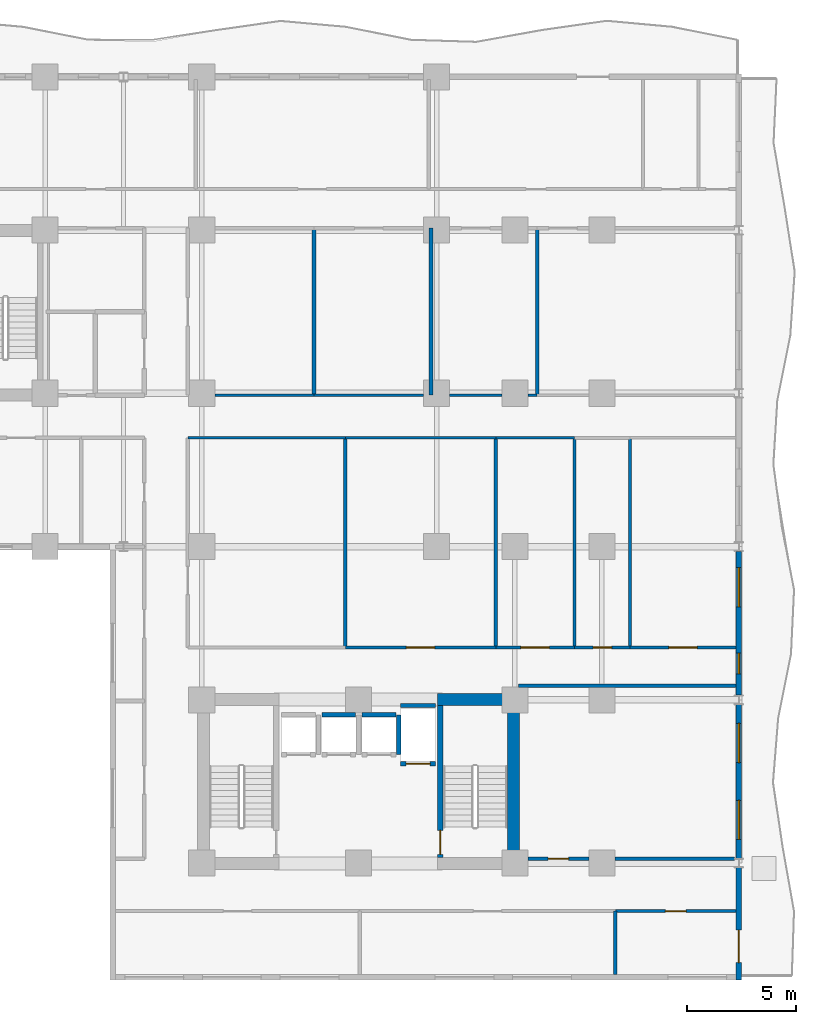
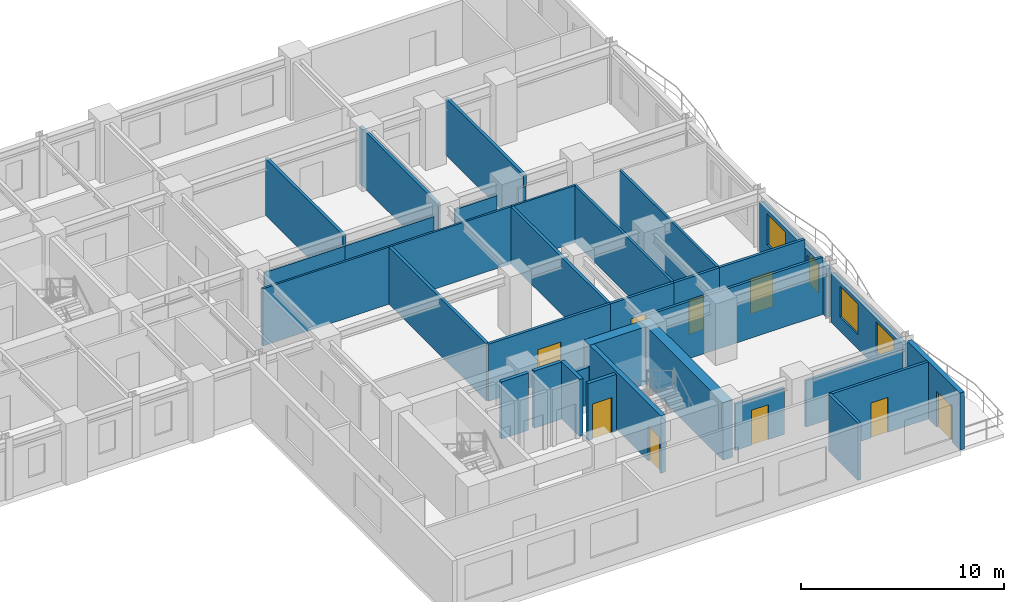
# One storey, part 5 of 11: 34 walls, 9 doors, 4 windows, 13 openings.
"""IFC4 building model written with IfcOpenShell, lengths in metres."""

import ifcopenshell
import ifcopenshell.guid

model = None  # the IFC model being written
_history = None  # IfcOwnerHistory: only IFC2X3 demands one
_inside = {}  # id of a spatial element -> (the spatial element, [elements in it])
_under = {}  # id of a project, library or spatial element -> (it, [spatial elements below it])
_declared = {}  # id of a project -> (the project, [libraries it declares])
_typed = {}  # id of a type object -> (the type object, [elements of that type])
_made_of = {}  # id of a material, layer set ... -> (it, [elements and type objects made of it])


def new_model(schema):
    """Start an empty IFC model of exactly this schema.

    Asked for "IFC4X3", IfcOpenShell would pick the latest addendum, in which some entities
    have other attributes; the version numbers below select the first issue.
    IFC2X3 requires an IfcOwnerHistory on every rooted entity: one is made here for all.
    """
    global model, _history
    if schema == "IFC4X3":
        model = ifcopenshell.file(schema_version=(4, 3, 0, 0))
    else:
        model = ifcopenshell.file(schema=schema)
    _inside.clear()
    _under.clear()
    _declared.clear()
    _typed.clear()
    _made_of.clear()
    _history = None
    if model.schema == "IFC2X3":
        org = make("IfcOrganization", Name="unknown")
        user = make(
            "IfcPersonAndOrganization",
            ThePerson=make("IfcPerson", FamilyName="unknown"),
            TheOrganization=org,
        )
        app = make(
            "IfcApplication",
            ApplicationDeveloper=org,
            Version="unknown",
            ApplicationFullName="unknown",
            ApplicationIdentifier="unknown",
        )
        _history = make(
            "IfcOwnerHistory",
            OwningUser=user,
            OwningApplication=app,
            ChangeAction="ADDED",
            CreationDate=0,
        )
    return model


def make(cls, **values):
    """One entity of the class cls with the attributes given. An attribute that is None is left unset."""
    return model.create_entity(
        cls, **{name: value for name, value in values.items() if value is not None}
    )


def rooted(cls, **values):
    """An entity with a GlobalId (a new one), such as an element, a storey or a relation."""
    return make(cls, GlobalId=ifcopenshell.guid.new(), OwnerHistory=_history, **values)


def si_unit(unit_type, name, prefix=None):
    """IfcSIUnit, for example si_unit("LENGTHUNIT", "METRE", prefix="MILLI")."""
    return make("IfcSIUnit", UnitType=unit_type, Prefix=prefix, Name=name)


def assignment(units):
    """IfcUnitAssignment: the units of a project."""
    return None if units is None else make("IfcUnitAssignment", Units=units)


def point(xyz):
    """IfcCartesianPoint."""
    return None if xyz is None else make("IfcCartesianPoint", Coordinates=xyz)


def direction(xyz):
    """IfcDirection."""
    return None if xyz is None else make("IfcDirection", DirectionRatios=xyz)


def frame(location, z_axis=None, x_axis=None):
    """IfcAxis2Placement3D, a coordinate frame: its origin and axes. An axis left out is left unset."""
    return make(
        "IfcAxis2Placement3D",
        Location=point(location),
        Axis=direction(z_axis),
        RefDirection=direction(x_axis),
    )


def frame_2d(location, x_axis=None):
    """IfcAxis2Placement2D, a coordinate frame in the plane: its origin and x axis."""
    return make(
        "IfcAxis2Placement2D", Location=point(location), RefDirection=direction(x_axis)
    )


def origin():
    """The frame at (0, 0, 0) with its axes left unset."""
    return frame((0.0, 0.0, 0.0))


def place(relative_to, where):
    """IfcLocalPlacement: puts the frame where relative to a parent placement (None: the world)."""
    return make(
        "IfcLocalPlacement", PlacementRelTo=relative_to, RelativePlacement=where
    )


def context(
    kind, dimensions, precision=None, world=None, true_north=None, identifier=None
):
    """IfcGeometricRepresentationContext, for example the 3D "Model" context."""
    return make(
        "IfcGeometricRepresentationContext",
        ContextIdentifier=identifier,
        ContextType=kind,
        CoordinateSpaceDimension=dimensions,
        Precision=precision,
        WorldCoordinateSystem=world,
        TrueNorth=true_north,
    )


def subcontext(parent, identifier, kind, view, scale=None):
    """IfcGeometricRepresentationSubContext, for example "Body" below "Model"."""
    return make(
        "IfcGeometricRepresentationSubContext",
        ContextIdentifier=identifier,
        ContextType=kind,
        ParentContext=parent,
        TargetScale=scale,
        TargetView=view,
    )


def project(units=None, contexts=None):
    """IfcProject with its units and contexts."""
    return rooted(
        "IfcProject",
        Name="project",
        RepresentationContexts=contexts,
        UnitsInContext=assignment(units),
    )


def spatial(cls, under=None, at=None, **own):
    """A site, building, storey or space (cls), placed at a placement, below another one or the project."""
    s = rooted(cls, ObjectPlacement=at, **own)
    if under is not None:
        _under.setdefault(under.id(), (under, []))[1].append(s)
    return s


def profile(cls, at=None, kind="AREA", **sizes):
    """A parametric profile (cls). Its sizes go by their IFC names, for example OverallWidth=200.0."""
    return make(cls, ProfileType=kind, Position=at, **sizes)


def rectangle(**sizes):
    """IfcRectangleProfileDef."""
    return profile("IfcRectangleProfileDef", **sizes)


def extrude(swept, where, along, depth):
    """IfcExtrudedAreaSolid: the profile swept, set in the frame where, extruded along a direction by depth."""
    return make(
        "IfcExtrudedAreaSolid",
        SweptArea=swept,
        Position=where,
        ExtrudedDirection=direction(along),
        Depth=depth,
    )


def shape(context_of_items, identifier, shape_type, items):
    """IfcShapeRepresentation: the items that make up one representation, for example the "Body"."""
    return make(
        "IfcShapeRepresentation",
        ContextOfItems=context_of_items,
        RepresentationIdentifier=identifier,
        RepresentationType=shape_type,
        Items=items,
    )


def material(Name=None, Category=None):
    """IfcMaterial."""
    return make("IfcMaterial", Name=Name, Category=Category)


def layer(
    of_material, thickness, ventilated=None, Name=None, Category=None, Priority=None
):
    """IfcMaterialLayer: one layer of a wall or slab, of a material (None: an air gap)."""
    return make(
        "IfcMaterialLayer",
        Material=of_material,
        LayerThickness=thickness,
        IsVentilated=ventilated,
        Name=Name,
        Category=Category,
        Priority=Priority,
    )


def layer_set(layers, Name=None):
    """IfcMaterialLayerSet."""
    return make("IfcMaterialLayerSet", MaterialLayers=layers, LayerSetName=Name)


def made_of(thing, what):
    """Note that an element or type object is made of a material, layer set ...; save() writes the relation."""
    if what is not None:
        _made_of.setdefault(what.id(), (what, []))[1].append(thing)
    return thing


def type_object(cls, material=None, **own):
    """A type object (cls), such as IfcWallType, which elements share."""
    return made_of(rooted(cls, **own), material)


def element(
    cls,
    number,
    at=None,
    inside=None,
    cuts=None,
    type_object=None,
    material=None,
    context=None,
    identifier="Body",
    shape_type=None,
    held_by="IfcProductDefinitionShape",
    body=None,
    shapes=None,
    **own,
):
    """One element of the class cls, such as IfcWall. Its Tag is "e" and its number.

    at: its placement. inside: the storey or other place that contains it. cuts: it is an
    opening in that element (IfcRelVoidsElement). A single representation is given by context,
    identifier, shape_type and body (its items); several are given by shapes. held_by: the class
    of the entity that holds the representations. save() writes the other relations.
    """
    e = rooted(cls, Tag="e%d" % number, ObjectPlacement=at, **own)
    if body is not None:
        shapes = [shape(context, identifier, shape_type, body)]
    if shapes is not None:
        e.Representation = make(held_by, Representations=shapes)
    if inside is not None:
        _inside.setdefault(inside.id(), (inside, []))[1].append(e)
    if cuts is not None:
        rooted(
            "IfcRelVoidsElement", RelatingBuildingElement=cuts, RelatedOpeningElement=e
        )
    if type_object is not None:
        _typed.setdefault(type_object.id(), (type_object, []))[1].append(e)
    return made_of(e, material)


def fill(opening, filler):
    """IfcRelFillsElement: the door or window that sits in an opening."""
    return rooted(
        "IfcRelFillsElement",
        RelatingOpeningElement=opening,
        RelatedBuildingElement=filler,
    )


def aggregate(whole, parts):
    """IfcRelAggregates: a whole, such as a stair, and the parts it consists of."""
    return rooted("IfcRelAggregates", RelatingObject=whole, RelatedObjects=parts)


def save(model, path):
    """Write the relations noted so far, then the file.

    IfcRelAggregates (storeys below a building ...), IfcRelContainedInSpatialStructure (elements
    in a storey), IfcRelDefinesByType, IfcRelAssociatesMaterial and IfcRelDeclares: one each for
    every whole, place, type object, material and project.
    """
    for whole, parts in _under.values():
        aggregate(whole, parts)
    for where, things in _inside.values():
        rooted(
            "IfcRelContainedInSpatialStructure",
            RelatedElements=things,
            RelatingStructure=where,
        )
    for kind, things in _typed.values():
        rooted("IfcRelDefinesByType", RelatedObjects=things, RelatingType=kind)
    for what, things in _made_of.values():
        rooted("IfcRelAssociatesMaterial", RelatedObjects=things, RelatingMaterial=what)
    for by, libraries in _declared.values():
        rooted("IfcRelDeclares", RelatingContext=by, RelatedDefinitions=libraries)
    model.write(path)


model = new_model("IFC4")

# Units and contexts
model_context = context("Model", 3, precision=1e-05, world=origin(), true_north=direction((0.0, 1.0)))
body_context = subcontext(model_context, "Body", "Model", "MODEL_VIEW")
ifc_project = project(units=[si_unit("LENGTHUNIT", "METRE"), si_unit("AREAUNIT", "SQUARE_METRE"), si_unit("VOLUMEUNIT", "CUBIC_METRE"), si_unit("PLANEANGLEUNIT", "RADIAN"), si_unit("MASSUNIT", "GRAM", prefix="KILO")], contexts=[model_context])

# Site, building, storey
site_placement = place(None, origin())
site = spatial("IfcSite", under=ifc_project, at=site_placement, CompositionType="ELEMENT")
building_placement = place(site_placement, origin())
building = spatial("IfcBuilding", under=site, at=building_placement, Name="Kaliganga Portal Commons", CompositionType="ELEMENT")
storey_placement = place(building_placement, frame((0.0, 0.0, 78.60009765625)))
storey = spatial("IfcBuildingStorey", under=building, at=storey_placement, Name="L19", CompositionType="ELEMENT", Elevation=78.60009765625)

# Walls
ifc_material_1 = material(Name="Concrete C60/75", Category="concrete")
ifc_layer_1 = layer(ifc_material_1, 0.550048828125)
ifc_layer_set_1 = layer_set([ifc_layer_1], Name="Concrete C60/75")
wall_type_1 = type_object("IfcWallType", Name="WL-CORE-550", PredefinedType="SHEAR", material=ifc_layer_set_1)
wall_1_placement = place(storey_placement, frame((50.324951171875, 6.75, 0.0), z_axis=(0.0, 0.0, 1.0), x_axis=(0.0, 1.0, 0.0)))
element("IfcWall", 1, at=wall_1_placement, inside=storey, type_object=wall_type_1, Name="Core B East Shear Wall L19", PredefinedType="SHEAR", context=body_context, shape_type="SweptSolid", body=[
    extrude(rectangle(XDim=8.10009765625, YDim=0.550048828125, at=frame_2d((4.050048828125, 0.0))), origin(), (0.0, 0.0, 1.0), 3.449951171875),
])
wall_2_placement = place(storey_placement, frame((46.85009765625, 14.574951171875, 0.0), z_axis=(0.0, 0.0, 1.0), x_axis=(1.0, 0.0, 0.0)))
element("IfcWall", 2, at=wall_2_placement, inside=storey, type_object=wall_type_1, Name="Core B N-East Shear Wall L19", PredefinedType="SHEAR", context=body_context, shape_type="SweptSolid", body=[
    extrude(rectangle(XDim=3.199951171875, YDim=0.550048828125, at=frame_2d((1.60009765625, 0.0))), origin(), (0.0, 0.0, 1.0), 3.449951171875),
])

# Wall, opening, door
ifc_material_2 = material(Name="Insulated Aluminium-Clad Spandrel Assembly", Category="aluminium")
ifc_layer_2 = layer(ifc_material_2, 0.260009765625)
ifc_layer_set_2 = layer_set([ifc_layer_2], Name="Insulated Aluminium-Clad Spandrel Assembly")
wall_type_2 = type_object("IfcWallType", Name="WL-EXT-SPAND-260", PredefinedType="STANDARD", material=ifc_layer_set_2)
wall_3_placement = place(storey_placement, frame((60.699951171875, 6.833984375, 0.0), z_axis=(0.0, 0.0, 1.0), x_axis=(0.0, -1.0, 0.0)))
wall_3 = element("IfcWall", 3, at=wall_3_placement, inside=storey, type_object=wall_type_2, Name="Exterior Envelope Wall L19 P1-E01-S1", PredefinedType="STANDARD", context=body_context, shape_type="SweptSolid", body=[
    extrude(rectangle(XDim=5.1640625, YDim=0.260009765625, at=frame_2d((2.58203125, 0.0))), origin(), (0.0, 0.0, 1.0), 3.429931640625),
])
opening_1_placement = place(wall_3_placement, frame((2.864990234375, 0.0, 0.0)))
opening_1 = element("IfcOpeningElement", 4, at=opening_1_placement, cuts=wall_3, Name="Opening BD-01", PredefinedType="OPENING", context=body_context, shape_type="SweptSolid", body=[
    extrude(rectangle(XDim=1.5, YDim=2.14990234375, at=frame_2d((0.75, 1.074951171875))), frame((0.0, 0.14013671875, 0.0), z_axis=(0.0, -1.0, 0.0), x_axis=(1.0, 0.0, 0.0)), (0.0, 0.0, 1.0), 0.280029296875),
])
ifc_material_3 = material(Name="Anodized Aluminium and Laminated Safety Glass", Category="aluminium")
door_type_1 = type_object("IfcDoorType", Name="DR-BALC-1500", OperationType="SLIDING_TO_LEFT", PredefinedType="DOOR", material=ifc_material_3)
door_1_placement = place(opening_1_placement, origin())
door_1 = element("IfcDoor", 5, at=door_1_placement, inside=storey, type_object=door_type_1, Name="Balcony Sliding Door L19 balc_east", OperationType="SLIDING_TO_LEFT", OverallHeight=2.14990234375, OverallWidth=1.5, PredefinedType="DOOR", context=body_context, shape_type="SweptSolid", body=[
    extrude(rectangle(XDim=1.5, YDim=2.14990234375, at=frame_2d((0.75, 1.074951171875))), frame((0.0, 0.02490234375, 0.0), z_axis=(0.0, -1.0, 0.0), x_axis=(1.0, 0.0, 0.0)), (0.0, 0.0, 1.0), 0.050048828125),
])
fill(opening_1, door_1)

# Wall, openings, windows
wall_4_placement = place(storey_placement, frame((60.699951171875, 14.333984375, 0.0), z_axis=(0.0, 0.0, 1.0), x_axis=(0.0, -1.0, 0.0)))
wall_4 = element("IfcWall", 6, at=wall_4_placement, inside=storey, type_object=wall_type_2, Name="Exterior Envelope Wall L19 P1-E01-S2", PredefinedType="STANDARD", context=body_context, shape_type="SweptSolid", body=[
    extrude(rectangle(XDim=7.06787109375, YDim=0.260009765625, at=frame_2d((3.533935546875, 0.0))), origin(), (0.0, 0.0, 1.0), 2.929931640625),
])
opening_2_placement = place(wall_4_placement, frame((0.866943359375, 0.0, 0.85009765625)))
opening_2 = element("IfcOpeningElement", 7, at=opening_2_placement, cuts=wall_4, Name="Opening W-01", PredefinedType="OPENING", context=body_context, shape_type="SweptSolid", body=[
    extrude(rectangle(XDim=1.800048828125, YDim=1.85009765625, at=frame_2d((0.89990234375, 0.925048828125))), frame((0.0, 0.14013671875, 0.0), z_axis=(0.0, -1.0, 0.0), x_axis=(1.0, 0.0, 0.0)), (0.0, 0.0, 1.0), 0.280029296875),
])
opening_3_placement = place(wall_4_placement, frame((4.40087890625, 0.0, 0.85009765625)))
opening_3 = element("IfcOpeningElement", 8, at=opening_3_placement, cuts=wall_4, Name="Opening W-01", PredefinedType="OPENING", context=body_context, shape_type="SweptSolid", body=[
    extrude(rectangle(XDim=1.800048828125, YDim=1.85009765625, at=frame_2d((0.89990234375, 0.925048828125))), frame((0.0, 0.14013671875, 0.0), z_axis=(0.0, -1.0, 0.0), x_axis=(1.0, 0.0, 0.0)), (0.0, 0.0, 1.0), 0.280029296875),
])
ifc_material_4 = material(Name="Thermally Broken Aluminium and Low-E Double Glazing", Category="aluminium")
window_type_1 = type_object("IfcWindowType", Name="WIN-STD-1800", PartitioningType="DOUBLE_PANEL_VERTICAL", PredefinedType="WINDOW", material=ifc_material_4)
window_1_placement = place(opening_2_placement, origin())
window_1 = element("IfcWindow", 9, at=window_1_placement, inside=storey, type_object=window_type_1, Name="Facade Window L19-P1E01S2-00", OverallHeight=1.85009765625, OverallWidth=1.800048828125, PartitioningType="SINGLE_PANEL", PredefinedType="WINDOW", context=body_context, shape_type="SweptSolid", body=[
    extrude(rectangle(XDim=1.800048828125, YDim=1.85009765625, at=frame_2d((0.89990234375, 0.925048828125))), frame((0.0, 0.030029296875, 0.0), z_axis=(0.0, -1.0, 0.0), x_axis=(1.0, 0.0, 0.0)), (0.0, 0.0, 1.0), 0.06005859375),
])
fill(opening_2, window_1)
window_2_placement = place(opening_3_placement, origin())
window_2 = element("IfcWindow", 10, at=window_2_placement, inside=storey, type_object=window_type_1, Name="Facade Window L19-P1E01S2-01", OverallHeight=1.85009765625, OverallWidth=1.800048828125, PartitioningType="SINGLE_PANEL", PredefinedType="WINDOW", context=body_context, shape_type="SweptSolid", body=[
    extrude(rectangle(XDim=1.800048828125, YDim=1.85009765625, at=frame_2d((0.89990234375, 0.925048828125))), frame((0.0, 0.030029296875, 0.0), z_axis=(0.0, -1.0, 0.0), x_axis=(1.0, 0.0, 0.0)), (0.0, 0.0, 1.0), 0.06005859375),
])
fill(opening_3, window_2)

wall_5_placement = place(storey_placement, frame((60.699951171875, 21.384033203125, 0.0), z_axis=(0.0, 0.0, 1.0), x_axis=(0.0, -1.0, 0.0)))
wall_5 = element("IfcWall", 11, at=wall_5_placement, inside=storey, type_object=wall_type_2, Name="Exterior Envelope Wall L19 P1-E01-S3", PredefinedType="STANDARD", context=body_context, shape_type="SweptSolid", body=[
    extrude(rectangle(XDim=6.617919921875, YDim=0.260009765625, at=frame_2d((3.30908203125, 0.0))), origin(), (0.0, 0.0, 1.0), 2.929931640625),
])
opening_4_placement = place(wall_5_placement, frame((0.75439453125, 0.0, 0.85009765625)))
opening_4 = element("IfcOpeningElement", 12, at=opening_4_placement, cuts=wall_5, Name="Opening W-01", PredefinedType="OPENING", context=body_context, shape_type="SweptSolid", body=[
    extrude(rectangle(XDim=1.800048828125, YDim=1.85009765625, at=frame_2d((0.89990234375, 0.925048828125))), frame((0.0, 0.14013671875, 0.0), z_axis=(0.0, -1.0, 0.0), x_axis=(1.0, 0.0, 0.0)), (0.0, 0.0, 1.0), 0.280029296875),
])
opening_5_placement = place(wall_5_placement, frame((4.68701171875, 0.0, 0.85009765625)))
opening_5 = element("IfcOpeningElement", 13, at=opening_5_placement, cuts=wall_5, Name="Opening W-04", PredefinedType="OPENING", context=body_context, shape_type="SweptSolid", body=[
    extrude(rectangle(XDim=0.949951171875, YDim=1.75, at=frame_2d((0.47509765625, 0.875))), frame((0.0, 0.14013671875, 0.0), z_axis=(0.0, -1.0, 0.0), x_axis=(1.0, 0.0, 0.0)), (0.0, 0.0, 1.0), 0.280029296875),
])
window_type_2 = type_object("IfcWindowType", Name="WIN-NARROW-950", PartitioningType="SINGLE_PANEL", PredefinedType="WINDOW", material=ifc_material_4)
window_3_placement = place(opening_5_placement, origin())
window_3 = element("IfcWindow", 14, at=window_3_placement, inside=storey, type_object=window_type_2, Name="Facade Window L19-P1E01S3-N10", OverallHeight=1.75, OverallWidth=0.949951171875, PartitioningType="SINGLE_PANEL", PredefinedType="WINDOW", context=body_context, shape_type="SweptSolid", body=[
    extrude(rectangle(XDim=0.949951171875, YDim=1.75, at=frame_2d((0.47509765625, 0.875))), frame((0.0, 0.030029296875, 0.0), z_axis=(0.0, -1.0, 0.0), x_axis=(1.0, 0.0, 0.0)), (0.0, 0.0, 1.0), 0.06005859375),
])
fill(opening_5, window_3)
window_4_placement = place(opening_4_placement, origin())
window_4 = element("IfcWindow", 15, at=window_4_placement, inside=storey, type_object=window_type_1, Name="Facade Window L19-P1E01S3-00", OverallHeight=1.85009765625, OverallWidth=1.800048828125, PartitioningType="SINGLE_PANEL", PredefinedType="WINDOW", context=body_context, shape_type="SweptSolid", body=[
    extrude(rectangle(XDim=1.800048828125, YDim=1.85009765625, at=frame_2d((0.89990234375, 0.925048828125))), frame((0.0, 0.030029296875, 0.0), z_axis=(0.0, -1.0, 0.0), x_axis=(1.0, 0.0, 0.0)), (0.0, 0.0, 1.0), 0.06005859375),
])
fill(opening_4, window_4)

# Wall, opening, door
ifc_material_5 = material(Name="Fire-Rated Gypsum Board on Steel Stud", Category="steel")
ifc_layer_3 = layer(ifc_material_5, 0.14990234375)
ifc_layer_set_3 = layer_set([ifc_layer_3], Name="Fire-Rated Gypsum Board on Steel Stud")
wall_type_3 = type_object("IfcWallType", Name="WL-PART-CORR-150", PredefinedType="PARTITIONING", material=ifc_layer_set_3)
wall_6_placement = place(storey_placement, frame((51.0, 7.239990234375, 0.0), z_axis=(0.0, 0.0, 1.0), x_axis=(1.0, 0.0, 0.0)))
wall_6 = element("IfcWall", 16, at=wall_6_placement, inside=storey, type_object=wall_type_3, Name="Interior Partition L19-004", PredefinedType="PARTITIONING", context=body_context, shape_type="SweptSolid", body=[
    extrude(rectangle(XDim=2.800048828125, YDim=0.14990234375, at=frame_2d((1.39990234375, 0.0))), origin(), (0.0, 0.0, 1.0), 2.77978515625),
])
opening_6_placement = place(wall_6_placement, frame((0.925048828125, 0.0, 0.0)))
opening_6 = element("IfcOpeningElement", 17, at=opening_6_placement, cuts=wall_6, Name="Opening UD-01", PredefinedType="OPENING", context=body_context, shape_type="SweptSolid", body=[
    extrude(rectangle(XDim=0.949951171875, YDim=2.10009765625, at=frame_2d((0.47509765625, 1.050048828125))), frame((0.0, 0.0849609375, 0.0), z_axis=(0.0, -1.0, 0.0), x_axis=(1.0, 0.0, 0.0)), (0.0, 0.0, 1.0), 0.169921875),
])
ifc_material_6 = material(Name="Solid-Core Timber Acoustic Fire Door", Category="wood")
door_type_2 = type_object("IfcDoorType", Name="DR-UNIT-950", OperationType="NOTDEFINED", PredefinedType="DOOR", material=ifc_material_6)
door_2_placement = place(opening_6_placement, origin())
door_2 = element("IfcDoor", 18, at=door_2_placement, inside=storey, type_object=door_type_2, Name="Interior Door L19-BE01", OperationType="SINGLE_SWING_LEFT", OverallHeight=2.10009765625, OverallWidth=0.949951171875, PredefinedType="DOOR", context=body_context, shape_type="SweptSolid", body=[
    extrude(rectangle(XDim=0.949951171875, YDim=2.10009765625, at=frame_2d((0.47509765625, 1.050048828125))), frame((0.0, 0.02490234375, 0.0), z_axis=(0.0, -1.0, 0.0), x_axis=(1.0, 0.0, 0.0)), (0.0, 0.0, 1.0), 0.050048828125),
])
fill(opening_6, door_2)

# Walls
wall_7_placement = place(storey_placement, frame((55.0, 7.239990234375, 0.0), z_axis=(0.0, 0.0, 1.0), x_axis=(1.0, 0.0, 0.0)))
element("IfcWall", 19, at=wall_7_placement, inside=storey, type_object=wall_type_3, Name="Interior Partition L19-005", PredefinedType="PARTITIONING", context=body_context, shape_type="SweptSolid", body=[
    extrude(rectangle(XDim=5.49560546875, YDim=0.14990234375, at=frame_2d((2.747802734375, 0.0))), origin(), (0.0, 0.0, 1.0), 2.77978515625),
])
wall_8_placement = place(storey_placement, frame((50.56005859375, 15.199951171875, 0.0), z_axis=(0.0, 0.0, 1.0), x_axis=(1.0, 0.0, 0.0)))
element("IfcWall", 20, at=wall_8_placement, inside=storey, type_object=wall_type_3, Name="Interior Partition L19-006", PredefinedType="PARTITIONING", context=body_context, shape_type="SweptSolid", body=[
    extrude(rectangle(XDim=10.008056640625, YDim=0.14990234375, at=frame_2d((5.00390625, 0.0))), origin(), (0.0, 0.0, 1.0), 3.429931640625),
])

# Wall, opening, door
wall_9_placement = place(storey_placement, frame((42.60009765625, 16.9599609375, 0.0), z_axis=(0.0, 0.0, 1.0), x_axis=(1.0, 0.0, 0.0)))
wall_9 = element("IfcWall", 21, at=wall_9_placement, inside=storey, type_object=wall_type_3, Name="Interior Partition L19-020", PredefinedType="PARTITIONING", context=body_context, shape_type="SweptSolid", body=[
    extrude(rectangle(XDim=6.919921875, YDim=0.14990234375, at=frame_2d((3.4599609375, 0.0))), origin(), (0.0, 0.0, 1.0), 3.429931640625),
])
opening_7_placement = place(wall_9_placement, frame((2.81005859375, 0.0, 0.0)))
opening_7 = element("IfcOpeningElement", 22, at=opening_7_placement, cuts=wall_9, Name="Opening RD-03", PredefinedType="OPENING", context=body_context, shape_type="SweptSolid", body=[
    extrude(rectangle(XDim=1.300048828125, YDim=2.1201171875, at=frame_2d((0.64990234375, 1.06005859375))), frame((0.0, 0.0849609375, 0.0), z_axis=(0.0, -1.0, 0.0), x_axis=(1.0, 0.0, 0.0)), (0.0, 0.0, 1.0), 0.169921875),
])
ifc_material_7 = material(Name="Glazed Timber Seminar Vision Door", Category="wood")
door_type_3 = type_object("IfcDoorType", Name="DR-STUDY-1300", OperationType="DOUBLE_DOOR_SINGLE_SWING", PredefinedType="DOOR", material=ifc_material_7)
door_3_placement = place(opening_7_placement, origin())
door_3 = element("IfcDoor", 23, at=door_3_placement, inside=storey, type_object=door_type_3, Name="Interior Door L19-BM02", OperationType="DOUBLE_DOOR_SINGLE_SWING", OverallHeight=2.1201171875, OverallWidth=1.300048828125, PredefinedType="DOOR", context=body_context, shape_type="SweptSolid", body=[
    extrude(rectangle(XDim=1.300048828125, YDim=2.1201171875, at=frame_2d((0.64990234375, 1.06005859375))), frame((0.0, 0.02490234375, 0.0), z_axis=(0.0, -1.0, 0.0), x_axis=(1.0, 0.0, 0.0)), (0.0, 0.0, 1.0), 0.050048828125),
])
fill(opening_7, door_3)

wall_10_placement = place(storey_placement, frame((55.02001953125, 4.840087890625, 0.0), z_axis=(0.0, 0.0, 1.0), x_axis=(1.0, 0.0, 0.0)))
wall_10 = element("IfcWall", 24, at=wall_10_placement, inside=storey, type_object=wall_type_3, Name="Interior Partition L19-022", PredefinedType="PARTITIONING", context=body_context, shape_type="SweptSolid", body=[
    extrude(rectangle(XDim=5.548095703125, YDim=0.14990234375, at=frame_2d((2.77392578125, 0.0))), origin(), (0.0, 0.0, 1.0), 3.429931640625),
])
opening_8_placement = place(wall_10_placement, frame((2.299072265625, 0.0, 0.0)))
opening_8 = element("IfcOpeningElement", 25, at=opening_8_placement, cuts=wall_10, Name="Opening UD-01", PredefinedType="OPENING", context=body_context, shape_type="SweptSolid", body=[
    extrude(rectangle(XDim=0.949951171875, YDim=2.10009765625, at=frame_2d((0.47509765625, 1.050048828125))), frame((0.0, 0.0849609375, 0.0), z_axis=(0.0, -1.0, 0.0), x_axis=(1.0, 0.0, 0.0)), (0.0, 0.0, 1.0), 0.169921875),
])
door_4_placement = place(opening_8_placement, origin())
door_4 = element("IfcDoor", 26, at=door_4_placement, inside=storey, type_object=door_type_2, Name="Interior Door L19-BS03", OperationType="SINGLE_SWING_RIGHT", OverallHeight=2.10009765625, OverallWidth=0.949951171875, PredefinedType="DOOR", context=body_context, shape_type="SweptSolid", body=[
    extrude(rectangle(XDim=0.949951171875, YDim=2.10009765625, at=frame_2d((0.47509765625, 1.050048828125))), frame((0.0, 0.02490234375, 0.0), z_axis=(0.0, -1.0, 0.0), x_axis=(1.0, 0.0, 0.0)), (0.0, 0.0, 1.0), 0.050048828125),
])
fill(opening_8, door_4)

wall_11_placement = place(storey_placement, frame((55.699951171875, 16.9599609375, 0.0), z_axis=(0.0, 0.0, 1.0), x_axis=(1.0, 0.0, 0.0)))
wall_11 = element("IfcWall", 27, at=wall_11_placement, inside=storey, type_object=wall_type_3, Name="Interior Partition L19-025", PredefinedType="PARTITIONING", context=body_context, shape_type="SweptSolid", body=[
    extrude(rectangle(XDim=4.8681640625, YDim=0.14990234375, at=frame_2d((2.43408203125, 0.0))), origin(), (0.0, 0.0, 1.0), 3.429931640625),
])
opening_9_placement = place(wall_11_placement, frame((1.783935546875, 0.0, 0.0)))
opening_9 = element("IfcOpeningElement", 28, at=opening_9_placement, cuts=wall_11, Name="Opening RD-03", PredefinedType="OPENING", context=body_context, shape_type="SweptSolid", body=[
    extrude(rectangle(XDim=1.300048828125, YDim=2.1201171875, at=frame_2d((0.64990234375, 1.06005859375))), frame((0.0, 0.0849609375, 0.0), z_axis=(0.0, -1.0, 0.0), x_axis=(1.0, 0.0, 0.0)), (0.0, 0.0, 1.0), 0.169921875),
])
door_5_placement = place(opening_9_placement, origin())
door_5 = element("IfcDoor", 29, at=door_5_placement, inside=storey, type_object=door_type_3, Name="Interior Door L19-BM05", OperationType="DOUBLE_DOOR_SINGLE_SWING", OverallHeight=2.1201171875, OverallWidth=1.300048828125, PredefinedType="DOOR", context=body_context, shape_type="SweptSolid", body=[
    extrude(rectangle(XDim=1.300048828125, YDim=2.1201171875, at=frame_2d((0.64990234375, 1.06005859375))), frame((0.0, 0.02490234375, 0.0), z_axis=(0.0, -1.0, 0.0), x_axis=(1.0, 0.0, 0.0)), (0.0, 0.0, 1.0), 0.050048828125),
])
fill(opening_9, door_5)

wall_12_placement = place(storey_placement, frame((49.52001953125, 16.9599609375, 0.0), z_axis=(0.0, 0.0, 1.0), x_axis=(1.0, 0.0, 0.0)))
wall_12 = element("IfcWall", 30, at=wall_12_placement, inside=storey, type_object=wall_type_3, Name="Interior Partition L19-032", PredefinedType="PARTITIONING", context=body_context, shape_type="SweptSolid", body=[
    extrude(rectangle(XDim=3.619873046875, YDim=0.14990234375, at=frame_2d((1.81005859375, 0.0))), origin(), (0.0, 0.0, 1.0), 3.429931640625),
])
opening_10_placement = place(wall_12_placement, frame((1.159912109375, 0.0, 0.0)))
opening_10 = element("IfcOpeningElement", 31, at=opening_10_placement, cuts=wall_12, Name="Opening RD-03", PredefinedType="OPENING", context=body_context, shape_type="SweptSolid", body=[
    extrude(rectangle(XDim=1.300048828125, YDim=2.1201171875, at=frame_2d((0.64990234375, 1.06005859375))), frame((0.0, 0.0849609375, 0.0), z_axis=(0.0, -1.0, 0.0), x_axis=(1.0, 0.0, 0.0)), (0.0, 0.0, 1.0), 0.169921875),
])
door_6_placement = place(opening_10_placement, origin())
door_6 = element("IfcDoor", 32, at=door_6_placement, inside=storey, type_object=door_type_3, Name="Interior Door L19-BM03", OperationType="DOUBLE_DOOR_SINGLE_SWING", OverallHeight=2.1201171875, OverallWidth=1.300048828125, PredefinedType="DOOR", context=body_context, shape_type="SweptSolid", body=[
    extrude(rectangle(XDim=1.300048828125, YDim=2.1201171875, at=frame_2d((0.64990234375, 1.06005859375))), frame((0.0, 0.02490234375, 0.0), z_axis=(0.0, -1.0, 0.0), x_axis=(1.0, 0.0, 0.0)), (0.0, 0.0, 1.0), 0.050048828125),
])
fill(opening_10, door_6)

wall_13_placement = place(storey_placement, frame((53.139892578125, 16.9599609375, 0.0), z_axis=(0.0, 0.0, 1.0), x_axis=(1.0, 0.0, 0.0)))
wall_13 = element("IfcWall", 33, at=wall_13_placement, inside=storey, type_object=wall_type_3, Name="Interior Partition L19-036", PredefinedType="PARTITIONING", context=body_context, shape_type="SweptSolid", body=[
    extrude(rectangle(XDim=2.56005859375, YDim=0.14990234375, at=frame_2d((1.280029296875, 0.0))), origin(), (0.0, 0.0, 1.0), 3.429931640625),
])
opening_11_placement = place(wall_13_placement, frame((0.85498046875, 0.0, 0.0)))
opening_11 = element("IfcOpeningElement", 34, at=opening_11_placement, cuts=wall_13, Name="Opening WD-01", PredefinedType="OPENING", context=body_context, shape_type="SweptSolid", body=[
    extrude(rectangle(XDim=0.85009765625, YDim=2.0400390625, at=frame_2d((0.425048828125, 1.02001953125))), frame((0.0, 0.0849609375, 0.0), z_axis=(0.0, -1.0, 0.0), x_axis=(1.0, 0.0, 0.0)), (0.0, 0.0, 1.0), 0.169921875),
])
ifc_material_8 = material(Name="Moisture-Resistant Laminate Timber Door", Category="wood")
door_type_4 = type_object("IfcDoorType", Name="DR-WET-850", OperationType="NOTDEFINED", PredefinedType="DOOR", material=ifc_material_8)
door_7_placement = place(opening_11_placement, origin())
door_7 = element("IfcDoor", 35, at=door_7_placement, inside=storey, type_object=door_type_4, Name="Interior Door L19-BM04", OperationType="SINGLE_SWING_LEFT", OverallHeight=2.0400390625, OverallWidth=0.85009765625, PredefinedType="DOOR", context=body_context, shape_type="SweptSolid", body=[
    extrude(rectangle(XDim=0.85009765625, YDim=2.0400390625, at=frame_2d((0.425048828125, 1.02001953125))), frame((0.0, 0.02490234375, 0.0), z_axis=(0.0, -1.0, 0.0), x_axis=(1.0, 0.0, 0.0)), (0.0, 0.0, 1.0), 0.050048828125),
])
fill(opening_11, door_7)

# Walls
ifc_material_9 = material(Name="Moisture-Resistant Gypsum Partition", Category="gypsum")
ifc_layer_4 = layer(ifc_material_9, 0.114990234375)
ifc_layer_set_4 = layer_set([ifc_layer_4], Name="Moisture-Resistant Gypsum Partition")
wall_type_4 = type_object("IfcWallType", Name="WL-PART-ROOM-115", PredefinedType="PARTITIONING", material=ifc_layer_set_4)
wall_14_placement = place(storey_placement, frame((35.360107421875, 26.60009765625, 0.0), z_axis=(0.0, 0.0, 1.0), x_axis=(1.0, 0.0, 0.0)))
element("IfcWall", 36, at=wall_14_placement, inside=storey, type_object=wall_type_4, Name="Interior Partition L19-055", PredefinedType="PARTITIONING", context=body_context, shape_type="SweptSolid", body=[
    extrude(rectangle(XDim=7.239990234375, YDim=0.114990234375, at=frame_2d((3.6201171875, 0.0))), origin(), (0.0, 0.0, 1.0), 3.429931640625),
])
wall_15_placement = place(storey_placement, frame((42.60009765625, 26.60009765625, 0.0), z_axis=(0.0, 0.0, 1.0), x_axis=(1.0, 0.0, 0.0)))
element("IfcWall", 37, at=wall_15_placement, inside=storey, type_object=wall_type_4, Name="Interior Partition L19-056", PredefinedType="PARTITIONING", context=body_context, shape_type="SweptSolid", body=[
    extrude(rectangle(XDim=6.919921875, YDim=0.114990234375, at=frame_2d((3.4599609375, 0.0))), origin(), (0.0, 0.0, 1.0), 3.429931640625),
])
wall_16_placement = place(storey_placement, frame((36.60009765625, 28.56005859375, 0.0), z_axis=(0.0, 0.0, 1.0), x_axis=(1.0, 0.0, 0.0)))
element("IfcWall", 38, at=wall_16_placement, inside=storey, type_object=wall_type_4, Name="Interior Partition L19-057", PredefinedType="PARTITIONING", context=body_context, shape_type="SweptSolid", body=[
    extrude(rectangle(XDim=4.559814453125, YDim=0.114990234375, at=frame_2d((2.27978515625, 0.0))), origin(), (0.0, 0.0, 1.0), 2.77978515625),
])
wall_17_placement = place(storey_placement, frame((41.159912109375, 28.56005859375, 0.0), z_axis=(0.0, 0.0, 1.0), x_axis=(1.0, 0.0, 0.0)))
element("IfcWall", 39, at=wall_17_placement, inside=storey, type_object=wall_type_4, Name="Interior Partition L19-058", PredefinedType="PARTITIONING", context=body_context, shape_type="SweptSolid", body=[
    extrude(rectangle(XDim=5.0400390625, YDim=0.114990234375, at=frame_2d((2.52001953125, 0.0))), origin(), (0.0, 0.0, 1.0), 2.77978515625),
])
wall_18_placement = place(storey_placement, frame((47.39990234375, 28.56005859375, 0.0), z_axis=(0.0, 0.0, 1.0), x_axis=(1.0, 0.0, 0.0)))
element("IfcWall", 40, at=wall_18_placement, inside=storey, type_object=wall_type_4, Name="Interior Partition L19-069", PredefinedType="PARTITIONING", context=body_context, shape_type="SweptSolid", body=[
    extrude(rectangle(XDim=2.400146484375, YDim=0.114990234375, at=frame_2d((1.2001953125, 0.0))), origin(), (0.0, 0.0, 1.0), 2.77978515625),
])
wall_19_placement = place(storey_placement, frame((51.0, 28.56005859375, 0.0), z_axis=(0.0, 0.0, 1.0), x_axis=(1.0, 0.0, 0.0)))
element("IfcWall", 41, at=wall_19_placement, inside=storey, type_object=wall_type_4, Name="Interior Partition L19-070", PredefinedType="PARTITIONING", context=body_context, shape_type="SweptSolid", body=[
    extrude(rectangle(XDim=0.419921875, YDim=0.114990234375, at=frame_2d((0.2099609375, 0.0))), origin(), (0.0, 0.0, 1.0), 2.77978515625),
])
wall_20_placement = place(storey_placement, frame((49.52001953125, 26.60009765625, 0.0), z_axis=(0.0, 0.0, 1.0), x_axis=(1.0, 0.0, 0.0)))
element("IfcWall", 42, at=wall_20_placement, inside=storey, type_object=wall_type_4, Name="Interior Partition L19-072", PredefinedType="PARTITIONING", context=body_context, shape_type="SweptSolid", body=[
    extrude(rectangle(XDim=3.619873046875, YDim=0.114990234375, at=frame_2d((1.81005859375, 0.0))), origin(), (0.0, 0.0, 1.0), 3.429931640625),
])
ifc_material_10 = material(Name="Twin-Stud Acoustic Gypsum Partition", Category="gypsum")
ifc_layer_5 = layer(ifc_material_10, 0.1650390625)
ifc_layer_set_5 = layer_set([ifc_layer_5], Name="Twin-Stud Acoustic Gypsum Partition")
wall_type_5 = type_object("IfcWallType", Name="WL-PART-UNIT-165", PredefinedType="PARTITIONING", material=ifc_layer_set_5)
for number, where, z_axis, x_axis, name in (
    (43, (42.60009765625, 16.9599609375, 0.0), (0.0, 0.0, 1.0), (0.0, 1.0, 0.0), "Interior Partition L19-046"),
    (44, (49.52001953125, 16.9599609375, 0.0), (0.0, 0.0, 1.0), (0.0, 1.0, 0.0), "Interior Partition L19-047"),
):
    element("IfcWall", number, at=place(storey_placement, frame(where, z_axis=z_axis, x_axis=x_axis)), inside=storey, type_object=wall_type_5, Name=name, PredefinedType="PARTITIONING", context=body_context, shape_type="SweptSolid", body=[
        extrude(rectangle(XDim=9.64013671875, YDim=0.1650390625, at=frame_2d((4.820068359375, 0.0))), origin(), (0.0, 0.0, 1.0), 3.429931640625),
    ])
for number, where, z_axis, x_axis, name in (
    (45, (41.159912109375, 28.56005859375, 0.0), (0.0, 0.0, 1.0), (0.0, 1.0, 0.0), "Interior Partition L19-052"),
    (46, (46.5400390625, 28.56005859375, 0.0), (0.0, 0.0, 1.0), (0.0, 1.0, 0.0), "Interior Partition L19-053"),
    (47, (51.419921875, 28.56005859375, 0.0), (0.0, 0.0, 1.0), (0.0, 1.0, 0.0), "Interior Partition L19-054"),
):
    element("IfcWall", number, at=place(storey_placement, frame(where, z_axis=z_axis, x_axis=x_axis)), inside=storey, type_object=wall_type_5, Name=name, PredefinedType="PARTITIONING", context=body_context, shape_type="SweptSolid", body=[
        extrude(rectangle(XDim=7.679931640625, YDim=0.1650390625, at=frame_2d((3.83984375, 0.0))), origin(), (0.0, 0.0, 1.0), 3.429931640625),
    ])
wall_21_placement = place(storey_placement, frame((55.02001953125, 1.931884765625, 0.0), z_axis=(0.0, 0.0, 1.0), x_axis=(0.0, 1.0, 0.0)))
element("IfcWall", 48, at=wall_21_placement, inside=storey, type_object=wall_type_5, Name="Interior Partition L19-075", PredefinedType="PARTITIONING", context=body_context, shape_type="SweptSolid", body=[
    extrude(rectangle(XDim=2.908203125, YDim=0.1650390625, at=frame_2d((1.4541015625, 0.0))), origin(), (0.0, 0.0, 1.0), 3.429931640625),
])
ifc_material_11 = material(Name="Cement-Board Wet-Room Partition", Category="gypsum")
ifc_layer_6 = layer(ifc_material_11, 0.135009765625)
ifc_layer_set_6 = layer_set([ifc_layer_6], Name="Cement-Board Wet-Room Partition")
wall_type_6 = type_object("IfcWallType", Name="WL-PART-WET-135", PredefinedType="PARTITIONING", material=ifc_layer_set_6)
for number, where, z_axis, x_axis, name in (
    (49, (53.139892578125, 16.9599609375, 0.0), (0.0, 0.0, 1.0), (0.0, 1.0, 0.0), "Interior Partition L19-048"),
    (50, (55.699951171875, 16.9599609375, 0.0), (0.0, 0.0, 1.0), (0.0, 1.0, 0.0), "Interior Partition L19-049"),
):
    element("IfcWall", number, at=place(storey_placement, frame(where, z_axis=z_axis, x_axis=x_axis)), inside=storey, type_object=wall_type_6, Name=name, PredefinedType="PARTITIONING", context=body_context, shape_type="SweptSolid", body=[
        extrude(rectangle(XDim=9.64013671875, YDim=0.135009765625, at=frame_2d((4.820068359375, 0.0))), origin(), (0.0, 0.0, 1.0), 3.429931640625),
    ])
ifc_material_12 = material(Name="Fire-Rated Shaftwall Masonry Assembly", Category="masonry")
ifc_layer_7 = layer(ifc_material_12, 0.199951171875)
ifc_layer_set_7 = layer_set([ifc_layer_7], Name="Fire-Rated Shaftwall Masonry Assembly")
wall_type_7 = type_object("IfcWallType", Name="WL-SHAFT-200", PredefinedType="PARTITIONING", material=ifc_layer_set_7)
for number, where, z_axis, x_axis, name in (
    (51, (41.52490234375, 13.864990234375, 0.0), (0.0, 0.0, 1.0), (1.0, 0.0, 0.0), "Lift PL-B2 Hoistway Shaft Wall L19-N"),
    (52, (43.375, 13.864990234375, 0.0), (0.0, 0.0, 1.0), (1.0, 0.0, 0.0), "Lift SH-2 Hoistway Shaft Wall L19-N"),
):
    element("IfcWall", number, at=place(storey_placement, frame(where, z_axis=z_axis, x_axis=x_axis)), inside=storey, type_object=wall_type_7, Name=name, PredefinedType="PARTITIONING", context=body_context, shape_type="SweptSolid", body=[
        extrude(rectangle(XDim=1.550048828125, YDim=0.199951171875, at=frame_2d((0.77490234375, 0.0))), origin(), (0.0, 0.0, 1.0), 3.429931640625),
    ])
wall_22_placement = place(storey_placement, frame((45.06494140625, 12.034912109375, 0.0), z_axis=(0.0, 0.0, 1.0), x_axis=(0.0, 1.0, 0.0)))
element("IfcWall", 53, at=wall_22_placement, inside=storey, type_object=wall_type_7, Name="Lift SH-2 Hoistway Shaft Wall L19-E", PredefinedType="PARTITIONING", context=body_context, shape_type="SweptSolid", body=[
    extrude(rectangle(XDim=1.830078125, YDim=0.199951171875, at=frame_2d((0.9150390625, 0.0))), origin(), (0.0, 0.0, 1.0), 3.429931640625),
])

# Wall, opening, door
wall_23_placement = place(storey_placement, frame((45.14990234375, 11.610107421875, 0.0), z_axis=(0.0, 0.0, 1.0), x_axis=(1.0, 0.0, 0.0)))
wall_23 = element("IfcWall", 54, at=wall_23_placement, inside=storey, type_object=wall_type_7, Name="Lift SL-B1 Hoistway Shaft Wall L19-S", PredefinedType="PARTITIONING", context=body_context, shape_type="SweptSolid", body=[
    extrude(rectangle(XDim=1.60009765625, YDim=0.199951171875, at=frame_2d((0.800048828125, 0.0))), origin(), (0.0, 0.0, 1.0), 3.429931640625),
])
opening_12_placement = place(wall_23_placement, frame((0.25, 0.0, 0.0)))
opening_12 = element("IfcOpeningElement", 55, at=opening_12_placement, cuts=wall_23, Name="Opening LD-01", PredefinedType="OPENING", context=body_context, shape_type="SweptSolid", body=[
    extrude(rectangle(XDim=1.10009765625, YDim=2.1201171875, at=frame_2d((0.550048828125, 1.06005859375))), frame((0.0, 0.10986328125, 0.0), z_axis=(0.0, -1.0, 0.0), x_axis=(1.0, 0.0, 0.0)), (0.0, 0.0, 1.0), 0.219970703125),
])
ifc_material_13 = material(Name="Brushed Stainless Steel 316 Lift Landing Door", Category="steel")
door_type_5 = type_object("IfcDoorType", Name="DR-LIFT-1100", OperationType="SLIDING_TO_LEFT", PredefinedType="DOOR", material=ifc_material_13)
door_8_placement = place(opening_12_placement, origin())
door_8 = element("IfcDoor", 56, at=door_8_placement, inside=storey, type_object=door_type_5, Name="Lift SL-B1 Sliding Landing Door L19", OperationType="SLIDING_TO_LEFT", OverallHeight=2.1201171875, OverallWidth=1.10009765625, PredefinedType="DOOR", context=body_context, shape_type="SweptSolid", body=[
    extrude(rectangle(XDim=1.10009765625, YDim=2.1201171875, at=frame_2d((0.550048828125, 1.06005859375))), frame((0.0, 0.02490234375, 0.0), z_axis=(0.0, -1.0, 0.0), x_axis=(1.0, 0.0, 0.0)), (0.0, 0.0, 1.0), 0.050048828125),
])
fill(opening_12, door_8)

# Wall
wall_24_placement = place(storey_placement, frame((45.14990234375, 14.2900390625, 0.0), z_axis=(0.0, 0.0, 1.0), x_axis=(1.0, 0.0, 0.0)))
element("IfcWall", 57, at=wall_24_placement, inside=storey, type_object=wall_type_7, Name="Lift SL-B1 Hoistway Shaft Wall L19-N", PredefinedType="PARTITIONING", context=body_context, shape_type="SweptSolid", body=[
    extrude(rectangle(XDim=1.60009765625, YDim=0.199951171875, at=frame_2d((0.800048828125, 0.0))), origin(), (0.0, 0.0, 1.0), 2.22998046875),
])

# Wall, opening, door
ifc_material_14 = material(Name="Concrete C50/60", Category="concrete")
ifc_layer_8 = layer(ifc_material_14, 0.25)
ifc_layer_set_8 = layer_set([ifc_layer_8], Name="Concrete C50/60")
wall_type_8 = type_object("IfcWallType", Name="WL-STAIR-250", PredefinedType="SHEAR", material=ifc_layer_set_8)
wall_25_placement = place(storey_placement, frame((46.97509765625, 7.300048828125, 0.0), z_axis=(0.0, 0.0, 1.0), x_axis=(0.0, 1.0, 0.0)))
wall_25 = element("IfcWall", 58, at=wall_25_placement, inside=storey, type_object=wall_type_8, Name="Stair B2 Enclosure Shear Wall L19", PredefinedType="SHEAR", context=body_context, shape_type="SweptSolid", body=[
    extrude(rectangle(XDim=7.0, YDim=0.25, at=frame_2d((3.5, 0.0))), origin(), (0.0, 0.0, 1.0), 3.449951171875),
])
opening_13_placement = place(wall_25_placement, frame((0.14990234375, 0.0, 0.0)))
opening_13 = element("IfcOpeningElement", 59, at=opening_13_placement, cuts=wall_25, Name="Opening SD-01", PredefinedType="OPENING", context=body_context, shape_type="SweptSolid", body=[
    extrude(rectangle(XDim=1.10009765625, YDim=2.080078125, at=frame_2d((0.550048828125, 1.0400390625))), frame((0.0, 0.135009765625, 0.0), z_axis=(0.0, -1.0, 0.0), x_axis=(1.0, 0.0, 0.0)), (0.0, 0.0, 1.0), 0.27001953125),
])
ifc_material_15 = material(Name="Galvanized Steel Fire Door Leaf and Frame", Category="steel")
door_type_6 = type_object("IfcDoorType", Name="DR-STAIR-1100", OperationType="NOTDEFINED", PredefinedType="DOOR", material=ifc_material_15)
door_9_placement = place(opening_13_placement, origin())
door_9 = element("IfcDoor", 60, at=door_9_placement, inside=storey, type_object=door_type_6, Name="Protected Stair ST-B2 Fire Door L19", OperationType="SINGLE_SWING_RIGHT", OverallHeight=2.080078125, OverallWidth=1.10009765625, PredefinedType="DOOR", context=body_context, shape_type="SweptSolid", body=[
    extrude(rectangle(XDim=1.10009765625, YDim=2.080078125, at=frame_2d((0.550048828125, 1.0400390625))), frame((0.0, 0.02490234375, 0.0), z_axis=(0.0, -1.0, 0.0), x_axis=(1.0, 0.0, 0.0)), (0.0, 0.0, 1.0), 0.050048828125),
])
fill(opening_13, door_9)

save(model, "model.ifc")
